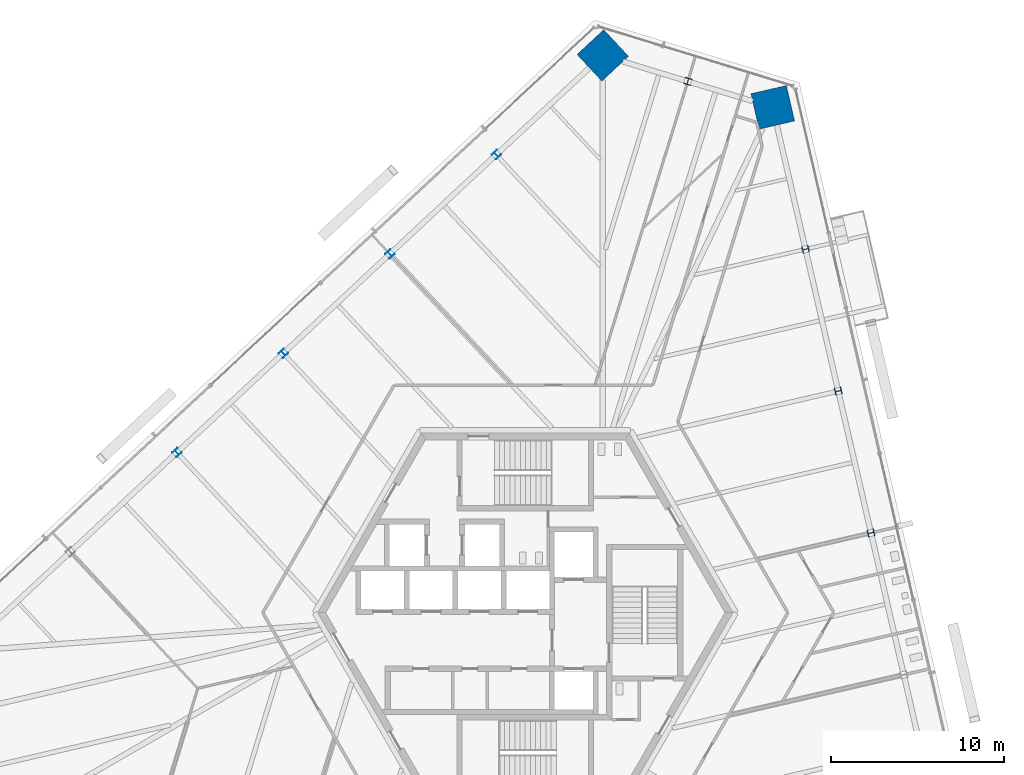
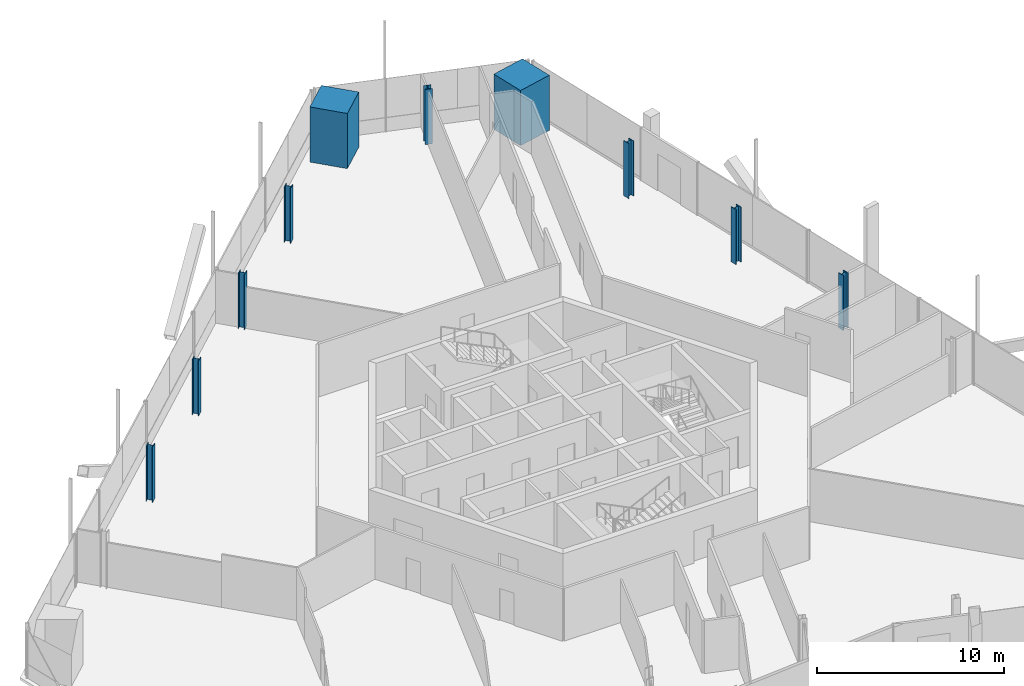
# One storey, part 3 of 21: 10 columns.
"""IFC4 building model written with IfcOpenShell, lengths in metres."""

from ifc_helpers import new_model, si_unit, direction, frame, origin, origin_2d, place, context, subcontext, project, spatial, rectangle, i_section, extrude, source, transform, mapped, material, material_profile, profile_set, type_object, element, save


model = new_model("IFC4")

# Units and contexts
model_context = context("Model", 3, precision=1e-05, world=origin(), true_north=direction((0.0, 1.0)))
body_context = subcontext(model_context, "Body", "Model", "MODEL_VIEW")
ifc_project = project(units=[si_unit("LENGTHUNIT", "METRE"), si_unit("AREAUNIT", "SQUARE_METRE"), si_unit("VOLUMEUNIT", "CUBIC_METRE"), si_unit("PLANEANGLEUNIT", "RADIAN"), si_unit("MASSUNIT", "GRAM", prefix="KILO")], contexts=[model_context])

# Site, building, storey
site_placement = place(None, origin())
site = spatial("IfcSite", under=ifc_project, at=site_placement, CompositionType="ELEMENT")
building_placement = place(site_placement, origin())
building = spatial("IfcBuilding", under=site, at=building_placement, Name="Triune Harvest Tower", CompositionType="ELEMENT")
storey_placement = place(building_placement, frame((0.0, 0.0, 119.89990234375)))
storey = spatial("IfcBuildingStorey", under=building, at=storey_placement, Name="L30", CompositionType="ELEMENT", Elevation=119.89990234375)

# Columns
ifc_material_1 = material(Name="Concrete 70 MPa", Category="concrete")
ifc_material_profile_1 = material_profile(ifc_material_1, rectangle(XDim=2.10009765625, YDim=2.10009765625, at=origin_2d()), Name="Composite 2100x2100")
ifc_profile_set_1 = profile_set([ifc_material_profile_1], Name="Concrete 70 MPa")
column_type_1 = type_object("IfcColumnType", Name="MC-3 Mega column Composite 2100x2100", PredefinedType="COLUMN", material=ifc_profile_set_1)
shared_shape_1 = source(origin(), body_context, "Body", "SweptSolid", [
    extrude(rectangle(XDim=2.10009765625, YDim=2.10009765625, at=origin_2d()), origin(), (0.0, 0.0, 1.0), 3.60009765625),
])
for number, where, z_axis, x_axis, name in (
    (1, (14.301513671875, 29.208984375, 0.0), (0.0, 0.0, 1.0), (-0.22495275494, 0.97436967217, 0.0), "col/L30/M6"),
    (2, (4.47705078125, 32.212646484375, 0.0), (0.0, 0.0, 1.0), (-0.73135489193, -0.681997083608, 0.0), "col/L30/M8"),
):
    element("IfcColumn", number, at=place(storey_placement, frame(where, z_axis=z_axis, x_axis=x_axis)), inside=storey, type_object=column_type_1, Name=name, PredefinedType="COLUMN", context=body_context, shape_type="MappedRepresentation", body=[
        mapped(shared_shape_1, transform((0.0, 0.0, 0.0), scale=1.0)),
    ])
ifc_material_2 = material(Name="Steel ASTM A992 Gr 50", Category="steel")
ifc_material_profile_2 = material_profile(ifc_material_2, i_section(OverallWidth=0.396240234375, OverallDepth=0.381103515625, WebThickness=0.01904296875, FlangeThickness=0.0302734375, at=origin_2d()), Name="W14x159")
ifc_profile_set_2 = profile_set([ifc_material_profile_2], Name="Steel ASTM A992 Gr 50")
column_type_2 = type_object("IfcColumnType", Name="PC-3 Perimeter column W14x159", PredefinedType="COLUMN", material=ifc_profile_set_2)
shared_shape_2 = source(origin(), body_context, "Body", "SweptSolid", [
    extrude(i_section(OverallWidth=0.396240234375, OverallDepth=0.381103515625, WebThickness=0.01904296875, FlangeThickness=0.0302734375, at=origin_2d()), origin(), (0.0, 0.0, 1.0), 3.60009765625),
])
for number, where, z_axis, x_axis, name in (
    (3, (19.97998046875, 4.61279296875, 0.0), (0.0, 0.0, 1.0), (-0.22495275494, 0.97436967217, 0.0), "col/L30/P3"),
    (4, (18.087158203125, 12.8115234375, 0.0), (0.0, 0.0, 1.0), (-0.22495275494, 0.97436967217, 0.0), "col/L30/P4"),
    (5, (16.1943359375, 21.01025390625, 0.0), (0.0, 0.0, 1.0), (-0.22495275494, 0.97436967217, 0.0), "col/L30/P5"),
    (6, (9.389404296875, 30.7109375, 0.0), (0.0, 0.0, 1.0), (-0.956304755963, 0.292371704723, 0.0), "col/L30/P7"),
    (7, (-1.6767578125, 26.47412109375, 0.0), (0.0, 0.0, 1.0), (-0.73135489193, -0.681997083608, 0.0), "col/L30/P9"),
    (8, (-7.830810546875, 20.7353515625, 0.0), (0.0, 0.0, 1.0), (-0.73135489193, -0.681997083608, 0.0), "col/L30/P10"),
    (9, (-13.984619140625, 14.996826171875, 0.0), (0.0, 0.0, 1.0), (-0.73135489193, -0.681997083608, 0.0), "col/L30/P11"),
    (10, (-20.138671875, 9.25830078125, 0.0), (0.0, 0.0, 1.0), (-0.73135489193, -0.681997083608, 0.0), "col/L30/P12"),
):
    element("IfcColumn", number, at=place(storey_placement, frame(where, z_axis=z_axis, x_axis=x_axis)), inside=storey, type_object=column_type_2, Name=name, PredefinedType="COLUMN", context=body_context, shape_type="MappedRepresentation", body=[
        mapped(shared_shape_2, transform((0.0, 0.0, 0.0), scale=1.0)),
    ])

save(model, "model.ifc")
